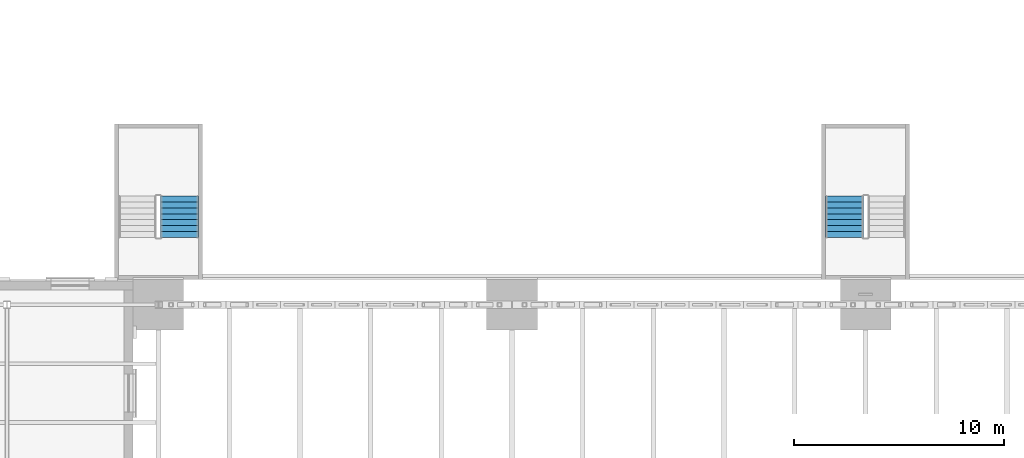
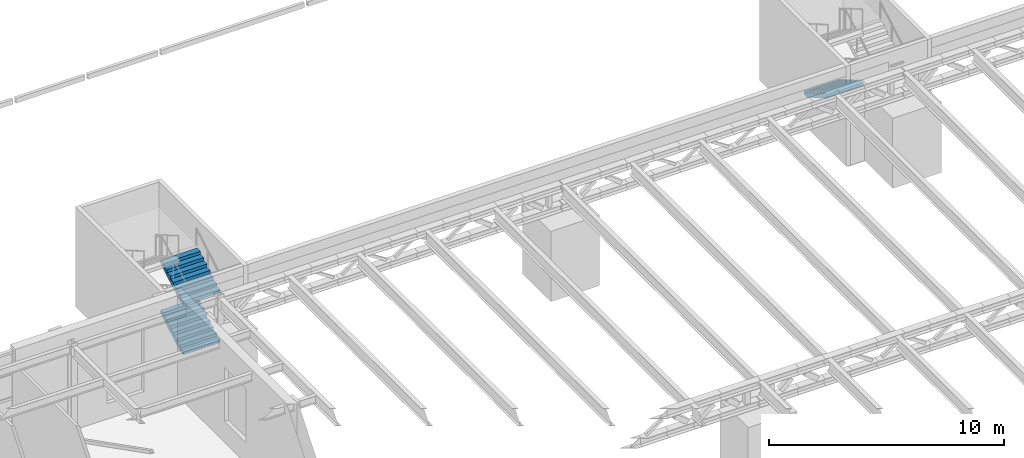
# One storey, part 72 of 93: 3 stair flights, 2 elements without a shape of their own.
"""IFC4 building model written with IfcOpenShell, lengths in metres."""

import ifcopenshell
import ifcopenshell.guid

model = None  # the IFC model being written
_history = None  # IfcOwnerHistory: only IFC2X3 demands one
_inside = {}  # id of a spatial element -> (the spatial element, [elements in it])
_under = {}  # id of a project, library or spatial element -> (it, [spatial elements below it])
_declared = {}  # id of a project -> (the project, [libraries it declares])
_typed = {}  # id of a type object -> (the type object, [elements of that type])
_made_of = {}  # id of a material, layer set ... -> (it, [elements and type objects made of it])


def new_model(schema):
    """Start an empty IFC model of exactly this schema.

    Asked for "IFC4X3", IfcOpenShell would pick the latest addendum, in which some entities
    have other attributes; the version numbers below select the first issue.
    IFC2X3 requires an IfcOwnerHistory on every rooted entity: one is made here for all.
    """
    global model, _history
    if schema == "IFC4X3":
        model = ifcopenshell.file(schema_version=(4, 3, 0, 0))
    else:
        model = ifcopenshell.file(schema=schema)
    _inside.clear()
    _under.clear()
    _declared.clear()
    _typed.clear()
    _made_of.clear()
    _history = None
    if model.schema == "IFC2X3":
        org = make("IfcOrganization", Name="unknown")
        user = make(
            "IfcPersonAndOrganization",
            ThePerson=make("IfcPerson", FamilyName="unknown"),
            TheOrganization=org,
        )
        app = make(
            "IfcApplication",
            ApplicationDeveloper=org,
            Version="unknown",
            ApplicationFullName="unknown",
            ApplicationIdentifier="unknown",
        )
        _history = make(
            "IfcOwnerHistory",
            OwningUser=user,
            OwningApplication=app,
            ChangeAction="ADDED",
            CreationDate=0,
        )
    return model


def make(cls, **values):
    """One entity of the class cls with the attributes given. An attribute that is None is left unset."""
    return model.create_entity(
        cls, **{name: value for name, value in values.items() if value is not None}
    )


def rooted(cls, **values):
    """An entity with a GlobalId (a new one), such as an element, a storey or a relation."""
    return make(cls, GlobalId=ifcopenshell.guid.new(), OwnerHistory=_history, **values)


def si_unit(unit_type, name, prefix=None):
    """IfcSIUnit, for example si_unit("LENGTHUNIT", "METRE", prefix="MILLI")."""
    return make("IfcSIUnit", UnitType=unit_type, Prefix=prefix, Name=name)


def assignment(units):
    """IfcUnitAssignment: the units of a project."""
    return None if units is None else make("IfcUnitAssignment", Units=units)


def point(xyz):
    """IfcCartesianPoint."""
    return None if xyz is None else make("IfcCartesianPoint", Coordinates=xyz)


def direction(xyz):
    """IfcDirection."""
    return None if xyz is None else make("IfcDirection", DirectionRatios=xyz)


def frame(location, z_axis=None, x_axis=None):
    """IfcAxis2Placement3D, a coordinate frame: its origin and axes. An axis left out is left unset."""
    return make(
        "IfcAxis2Placement3D",
        Location=point(location),
        Axis=direction(z_axis),
        RefDirection=direction(x_axis),
    )


def origin():
    """The frame at (0, 0, 0) with its axes left unset."""
    return frame((0.0, 0.0, 0.0))


def place(relative_to, where):
    """IfcLocalPlacement: puts the frame where relative to a parent placement (None: the world)."""
    return make(
        "IfcLocalPlacement", PlacementRelTo=relative_to, RelativePlacement=where
    )


def context(
    kind, dimensions, precision=None, world=None, true_north=None, identifier=None
):
    """IfcGeometricRepresentationContext, for example the 3D "Model" context."""
    return make(
        "IfcGeometricRepresentationContext",
        ContextIdentifier=identifier,
        ContextType=kind,
        CoordinateSpaceDimension=dimensions,
        Precision=precision,
        WorldCoordinateSystem=world,
        TrueNorth=true_north,
    )


def subcontext(parent, identifier, kind, view, scale=None):
    """IfcGeometricRepresentationSubContext, for example "Body" below "Model"."""
    return make(
        "IfcGeometricRepresentationSubContext",
        ContextIdentifier=identifier,
        ContextType=kind,
        ParentContext=parent,
        TargetScale=scale,
        TargetView=view,
    )


def project(units=None, contexts=None):
    """IfcProject with its units and contexts."""
    return rooted(
        "IfcProject",
        Name="project",
        RepresentationContexts=contexts,
        UnitsInContext=assignment(units),
    )


def spatial(cls, under=None, at=None, **own):
    """A site, building, storey or space (cls), placed at a placement, below another one or the project."""
    s = rooted(cls, ObjectPlacement=at, **own)
    if under is not None:
        _under.setdefault(under.id(), (under, []))[1].append(s)
    return s


def point_list(points):
    """IfcCartesianPointList2D or 3D."""
    cls = (
        "IfcCartesianPointList2D" if len(points[0]) == 2 else "IfcCartesianPointList3D"
    )
    return make(cls, CoordList=points)


def polygons(points, faces, closed=None, point_numbers=None):
    """IfcPolygonalFaceSet: a face is its outer loop, then its inner loops; points numbered from 1."""
    made = []
    for loops in faces:
        if len(loops) == 1:
            made.append(make("IfcIndexedPolygonalFace", CoordIndex=loops[0]))
        else:
            made.append(
                make(
                    "IfcIndexedPolygonalFaceWithVoids",
                    CoordIndex=loops[0],
                    InnerCoordIndices=loops[1:],
                )
            )
    return make(
        "IfcPolygonalFaceSet",
        Coordinates=point_list(points),
        Closed=closed,
        Faces=made,
        PnIndex=point_numbers,
    )


def shape(context_of_items, identifier, shape_type, items):
    """IfcShapeRepresentation: the items that make up one representation, for example the "Body"."""
    return make(
        "IfcShapeRepresentation",
        ContextOfItems=context_of_items,
        RepresentationIdentifier=identifier,
        RepresentationType=shape_type,
        Items=items,
    )


def material(Name=None, Category=None):
    """IfcMaterial."""
    return make("IfcMaterial", Name=Name, Category=Category)


def made_of(thing, what):
    """Note that an element or type object is made of a material, layer set ...; save() writes the relation."""
    if what is not None:
        _made_of.setdefault(what.id(), (what, []))[1].append(thing)
    return thing


def type_object(cls, material=None, **own):
    """A type object (cls), such as IfcWallType, which elements share."""
    return made_of(rooted(cls, **own), material)


def element(
    cls,
    number,
    at=None,
    inside=None,
    cuts=None,
    type_object=None,
    material=None,
    context=None,
    identifier="Body",
    shape_type=None,
    held_by="IfcProductDefinitionShape",
    body=None,
    shapes=None,
    **own,
):
    """One element of the class cls, such as IfcWall. Its Tag is "e" and its number.

    at: its placement. inside: the storey or other place that contains it. cuts: it is an
    opening in that element (IfcRelVoidsElement). A single representation is given by context,
    identifier, shape_type and body (its items); several are given by shapes. held_by: the class
    of the entity that holds the representations. save() writes the other relations.
    """
    e = rooted(cls, Tag="e%d" % number, ObjectPlacement=at, **own)
    if body is not None:
        shapes = [shape(context, identifier, shape_type, body)]
    if shapes is not None:
        e.Representation = make(held_by, Representations=shapes)
    if inside is not None:
        _inside.setdefault(inside.id(), (inside, []))[1].append(e)
    if cuts is not None:
        rooted(
            "IfcRelVoidsElement", RelatingBuildingElement=cuts, RelatedOpeningElement=e
        )
    if type_object is not None:
        _typed.setdefault(type_object.id(), (type_object, []))[1].append(e)
    return made_of(e, material)


def aggregate(whole, parts):
    """IfcRelAggregates: a whole, such as a stair, and the parts it consists of."""
    return rooted("IfcRelAggregates", RelatingObject=whole, RelatedObjects=parts)


def save(model, path):
    """Write the relations noted so far, then the file.

    IfcRelAggregates (storeys below a building ...), IfcRelContainedInSpatialStructure (elements
    in a storey), IfcRelDefinesByType, IfcRelAssociatesMaterial and IfcRelDeclares: one each for
    every whole, place, type object, material and project.
    """
    for whole, parts in _under.values():
        aggregate(whole, parts)
    for where, things in _inside.values():
        rooted(
            "IfcRelContainedInSpatialStructure",
            RelatedElements=things,
            RelatingStructure=where,
        )
    for kind, things in _typed.values():
        rooted("IfcRelDefinesByType", RelatedObjects=things, RelatingType=kind)
    for what, things in _made_of.values():
        rooted("IfcRelAssociatesMaterial", RelatedObjects=things, RelatingMaterial=what)
    for by, libraries in _declared.values():
        rooted("IfcRelDeclares", RelatingContext=by, RelatedDefinitions=libraries)
    model.write(path)


model = new_model("IFC4")

# Units and contexts
model_context = context("Model", 3, precision=1e-05, world=origin(), true_north=direction((0.0, 1.0)))
body_context = subcontext(model_context, "Body", "Model", "MODEL_VIEW")
ifc_project = project(units=[si_unit("LENGTHUNIT", "METRE"), si_unit("AREAUNIT", "SQUARE_METRE"), si_unit("VOLUMEUNIT", "CUBIC_METRE"), si_unit("PLANEANGLEUNIT", "RADIAN"), si_unit("MASSUNIT", "GRAM", prefix="KILO")], contexts=[model_context])

# Site, building, storey
site_placement = place(None, origin())
site = spatial("IfcSite", under=ifc_project, at=site_placement, CompositionType="ELEMENT")
building_placement = place(site_placement, origin())
building = spatial("IfcBuilding", under=site, at=building_placement, Name="Verrick Yard Athletic Hall", CompositionType="ELEMENT")
storey_placement = place(building_placement, frame((0.0, 0.0, 8.800048828125)))
storey = spatial("IfcBuildingStorey", under=building, at=storey_placement, Name="L02", CompositionType="ELEMENT", Elevation=8.800048828125)

# Stair, stair flights
ifc_material = material(Name="Concrete 35 MPa", Category="concrete")
stair_type = type_object("IfcStairType", Name="Stair ST4 1800 wide 32 risers", PredefinedType="HALF_TURN_STAIR", material=ifc_material)
stair_1_placement = place(storey_placement, origin())
stair_1 = element("IfcStair", 1, at=stair_1_placement, inside=storey, type_object=stair_type, Name="North deck escape 1 stair L02", PredefinedType="HALF_TURN_STAIR")
stair_flight_type = type_object("IfcStairFlightType", Name="Stair flight SF4 1800 wide 8 risers", PredefinedType="STRAIGHT", material=ifc_material)
stair_flight_1_placement = place(storey_placement, frame((41.0, 56.0, 0.0), z_axis=(0.0, 0.0, 1.0), x_axis=(0.0, 1.0, 0.0)))
stair_flight_1 = element("IfcStairFlight", 2, at=stair_flight_1_placement, type_object=stair_flight_type, Name="ST4 flight 1", NumberOfRisers=8, NumberOfTreads=7, PredefinedType="STRAIGHT", RiserHeight=0.1625, TreadLength=0.28, context=body_context, shape_type="Tessellation", body=[
    polygons([(0.2986404620805121, -0.89990234375, 0.0), (1.9600000000000002, -0.89990234375, 0.9641818746854172), (1.9600000000000002, -0.89990234375, 1.1375), (1.6800000000000002, -0.89990234375, 1.1375), (1.6800000000000002, -0.89990234375, 0.9750000000000001), (1.4000000000000001, -0.89990234375, 0.9750000000000001), (1.4000000000000001, -0.89990234375, 0.8125), (1.12, -0.89990234375, 0.8125), (1.12, -0.89990234375, 0.65), (0.8400000000000001, -0.89990234375, 0.65), (0.8400000000000001, -0.89990234375, 0.48750000000000004), (0.56, -0.89990234375, 0.48750000000000004), (0.56, -0.89990234375, 0.325), (0.28, -0.89990234375, 0.325), (0.28, -0.89990234375, 0.1625), (0.0, -0.89990234375, 0.1625), (0.0, -0.89990234375, 0.0), (0.2986404620805121, -0.179931640625, 0.0), (1.9600000000000002, -0.179931640625, 0.9641818746854172), (1.9600000000000002, -0.179931640625, 1.1375), (1.6800000000000002, -0.179931640625, 1.1375), (1.6800000000000002, -0.179931640625, 0.9750000000000001), (1.4000000000000001, -0.179931640625, 0.9750000000000001), (1.4000000000000001, -0.179931640625, 0.8125), (1.12, -0.179931640625, 0.8125), (1.12, -0.179931640625, 0.65), (0.8400000000000001, -0.179931640625, 0.65), (0.8400000000000001, -0.179931640625, 0.48750000000000004), (0.56, -0.179931640625, 0.48750000000000004), (0.56, -0.179931640625, 0.325), (0.28, -0.179931640625, 0.325), (0.28, -0.179931640625, 0.1625), (0.0, -0.179931640625, 0.1625), (0.0, -0.179931640625, 0.0), (0.2986404620805121, -0.1201171875, 0.0), (1.9600000000000002, -0.1201171875, 0.9641818746854172), (1.9600000000000002, -0.1201171875, 1.1375), (1.6800000000000002, -0.1201171875, 1.1375), (1.6800000000000002, -0.1201171875, 0.9750000000000001), (1.4000000000000001, -0.1201171875, 0.9750000000000001), (1.4000000000000001, -0.1201171875, 0.8125), (1.12, -0.1201171875, 0.8125), (1.12, -0.1201171875, 0.65), (0.8400000000000001, -0.1201171875, 0.65), (0.8400000000000001, -0.1201171875, 0.48750000000000004), (0.56, -0.1201171875, 0.48750000000000004), (0.56, -0.1201171875, 0.325), (0.28, -0.1201171875, 0.325), (0.28, -0.1201171875, 0.1625), (0.0, -0.1201171875, 0.1625), (0.0, -0.1201171875, 0.0), (0.2986404620805121, -0.06005859375, 0.0), (1.9600000000000002, -0.06005859375, 0.9641818746854172), (1.9600000000000002, -0.06005859375, 1.1375), (1.6800000000000002, -0.06005859375, 1.1375), (1.6800000000000002, -0.06005859375, 0.9750000000000001), (1.4000000000000001, -0.06005859375, 0.9750000000000001), (1.4000000000000001, -0.06005859375, 0.8125), (1.12, -0.06005859375, 0.8125), (1.12, -0.06005859375, 0.65), (0.8400000000000001, -0.06005859375, 0.65), (0.8400000000000001, -0.06005859375, 0.48750000000000004), (0.56, -0.06005859375, 0.48750000000000004), (0.56, -0.06005859375, 0.325), (0.28, -0.06005859375, 0.325), (0.28, -0.06005859375, 0.1625), (0.0, -0.06005859375, 0.1625), (0.0, -0.06005859375, 0.0), (0.2986404620805121, 0.0, 0.0), (1.9600000000000002, 0.0, 0.9641818746854172), (1.9600000000000002, 0.0, 1.1375), (1.6800000000000002, 0.0, 1.1375), (1.6800000000000002, 0.0, 0.9750000000000001), (1.4000000000000001, 0.0, 0.9750000000000001), (1.4000000000000001, 0.0, 0.8125), (1.12, 0.0, 0.8125), (1.12, 0.0, 0.65), (0.8400000000000001, 0.0, 0.65), (0.8400000000000001, 0.0, 0.48750000000000004), (0.56, 0.0, 0.48750000000000004), (0.56, 0.0, 0.325), (0.28, 0.0, 0.325), (0.28, 0.0, 0.1625), (0.0, 0.0, 0.1625), (0.0, 0.0, 0.0), (0.2986404620805121, 0.06005859375, 0.0), (1.9600000000000002, 0.06005859375, 0.9641818746854172), (1.9600000000000002, 0.06005859375, 1.1375), (1.6800000000000002, 0.06005859375, 1.1375), (1.6800000000000002, 0.06005859375, 0.9750000000000001), (1.4000000000000001, 0.06005859375, 0.9750000000000001), (1.4000000000000001, 0.06005859375, 0.8125), (1.12, 0.06005859375, 0.8125), (1.12, 0.06005859375, 0.65), (0.8400000000000001, 0.06005859375, 0.65), (0.8400000000000001, 0.06005859375, 0.48750000000000004), (0.56, 0.06005859375, 0.48750000000000004), (0.56, 0.06005859375, 0.325), (0.28, 0.06005859375, 0.325), (0.28, 0.06005859375, 0.1625), (0.0, 0.06005859375, 0.1625), (0.0, 0.06005859375, 0.0), (0.2986404620805121, 0.1201171875, 0.0), (1.9600000000000002, 0.1201171875, 0.9641818746854172), (1.9600000000000002, 0.1201171875, 1.1375), (1.6800000000000002, 0.1201171875, 1.1375), (1.6800000000000002, 0.1201171875, 0.9750000000000001), (1.4000000000000001, 0.1201171875, 0.9750000000000001), (1.4000000000000001, 0.1201171875, 0.8125), (1.12, 0.1201171875, 0.8125), (1.12, 0.1201171875, 0.65), (0.8400000000000001, 0.1201171875, 0.65), (0.8400000000000001, 0.1201171875, 0.48750000000000004), (0.56, 0.1201171875, 0.48750000000000004), (0.56, 0.1201171875, 0.325), (0.28, 0.1201171875, 0.325), (0.28, 0.1201171875, 0.1625), (0.0, 0.1201171875, 0.1625), (0.0, 0.1201171875, 0.0), (0.2986404620805121, 0.179931640625, 0.0), (1.9600000000000002, 0.179931640625, 0.9641818746854172), (1.9600000000000002, 0.179931640625, 1.1375), (1.6800000000000002, 0.179931640625, 1.1375), (1.6800000000000002, 0.179931640625, 0.9750000000000001), (1.4000000000000001, 0.179931640625, 0.9750000000000001), (1.4000000000000001, 0.179931640625, 0.8125), (1.12, 0.179931640625, 0.8125), (1.12, 0.179931640625, 0.65), (0.8400000000000001, 0.179931640625, 0.65), (0.8400000000000001, 0.179931640625, 0.48750000000000004), (0.56, 0.179931640625, 0.48750000000000004), (0.56, 0.179931640625, 0.325), (0.28, 0.179931640625, 0.325), (0.28, 0.179931640625, 0.1625), (0.0, 0.179931640625, 0.1625), (0.0, 0.179931640625, 0.0), (0.2986404620805121, 0.89990234375, 0.0), (1.9600000000000002, 0.89990234375, 0.9641818746854172), (1.9600000000000002, 0.89990234375, 1.1375), (1.6800000000000002, 0.89990234375, 1.1375), (1.6800000000000002, 0.89990234375, 0.9750000000000001), (1.4000000000000001, 0.89990234375, 0.9750000000000001), (1.4000000000000001, 0.89990234375, 0.8125), (1.12, 0.89990234375, 0.8125), (1.12, 0.89990234375, 0.65), (0.8400000000000001, 0.89990234375, 0.65), (0.8400000000000001, 0.89990234375, 0.48750000000000004), (0.56, 0.89990234375, 0.48750000000000004), (0.56, 0.89990234375, 0.325), (0.28, 0.89990234375, 0.325), (0.28, 0.89990234375, 0.1625), (0.0, 0.89990234375, 0.1625), (0.0, 0.89990234375, 0.0)], [[[1, 2, 3, 4, 5, 6, 7, 8, 9, 10, 11, 12, 13, 14, 15, 16, 17]], [[153, 152, 151, 150, 149, 148, 147, 146, 145, 144, 143, 142, 141, 140, 139, 138, 137]], [[1, 18, 19, 2]], [[2, 19, 20, 3]], [[3, 20, 21, 4]], [[4, 21, 22, 5]], [[5, 22, 23, 6]], [[6, 23, 24, 7]], [[7, 24, 25, 8]], [[8, 25, 26, 9]], [[9, 26, 27, 10]], [[10, 27, 28, 11]], [[11, 28, 29, 12]], [[12, 29, 30, 13]], [[13, 30, 31, 14]], [[14, 31, 32, 15]], [[15, 32, 33, 16]], [[16, 33, 34, 17]], [[17, 34, 18, 1]], [[18, 35, 36, 19]], [[19, 36, 37, 20]], [[20, 37, 38, 21]], [[21, 38, 39, 22]], [[22, 39, 40, 23]], [[23, 40, 41, 24]], [[24, 41, 42, 25]], [[25, 42, 43, 26]], [[26, 43, 44, 27]], [[27, 44, 45, 28]], [[28, 45, 46, 29]], [[29, 46, 47, 30]], [[30, 47, 48, 31]], [[31, 48, 49, 32]], [[32, 49, 50, 33]], [[33, 50, 51, 34]], [[34, 51, 35, 18]], [[35, 52, 53, 36]], [[36, 53, 54, 37]], [[37, 54, 55, 38]], [[38, 55, 56, 39]], [[39, 56, 57, 40]], [[40, 57, 58, 41]], [[41, 58, 59, 42]], [[42, 59, 60, 43]], [[43, 60, 61, 44]], [[44, 61, 62, 45]], [[45, 62, 63, 46]], [[46, 63, 64, 47]], [[47, 64, 65, 48]], [[48, 65, 66, 49]], [[49, 66, 67, 50]], [[50, 67, 68, 51]], [[51, 68, 52, 35]], [[52, 69, 70, 53]], [[53, 70, 71, 54]], [[54, 71, 72, 55]], [[55, 72, 73, 56]], [[56, 73, 74, 57]], [[57, 74, 75, 58]], [[58, 75, 76, 59]], [[59, 76, 77, 60]], [[60, 77, 78, 61]], [[61, 78, 79, 62]], [[62, 79, 80, 63]], [[63, 80, 81, 64]], [[64, 81, 82, 65]], [[65, 82, 83, 66]], [[66, 83, 84, 67]], [[67, 84, 85, 68]], [[68, 85, 69, 52]], [[69, 86, 87, 70]], [[70, 87, 88, 71]], [[71, 88, 89, 72]], [[72, 89, 90, 73]], [[73, 90, 91, 74]], [[74, 91, 92, 75]], [[75, 92, 93, 76]], [[76, 93, 94, 77]], [[77, 94, 95, 78]], [[78, 95, 96, 79]], [[79, 96, 97, 80]], [[80, 97, 98, 81]], [[81, 98, 99, 82]], [[82, 99, 100, 83]], [[83, 100, 101, 84]], [[84, 101, 102, 85]], [[85, 102, 86, 69]], [[86, 103, 104, 87]], [[87, 104, 105, 88]], [[88, 105, 106, 89]], [[89, 106, 107, 90]], [[90, 107, 108, 91]], [[91, 108, 109, 92]], [[92, 109, 110, 93]], [[93, 110, 111, 94]], [[94, 111, 112, 95]], [[95, 112, 113, 96]], [[96, 113, 114, 97]], [[97, 114, 115, 98]], [[98, 115, 116, 99]], [[99, 116, 117, 100]], [[100, 117, 118, 101]], [[101, 118, 119, 102]], [[102, 119, 103, 86]], [[103, 120, 121, 104]], [[104, 121, 122, 105]], [[105, 122, 123, 106]], [[106, 123, 124, 107]], [[107, 124, 125, 108]], [[108, 125, 126, 109]], [[109, 126, 127, 110]], [[110, 127, 128, 111]], [[111, 128, 129, 112]], [[112, 129, 130, 113]], [[113, 130, 131, 114]], [[114, 131, 132, 115]], [[115, 132, 133, 116]], [[116, 133, 134, 117]], [[117, 134, 135, 118]], [[118, 135, 136, 119]], [[119, 136, 120, 103]], [[120, 137, 138, 121]], [[121, 138, 139, 122]], [[122, 139, 140, 123]], [[123, 140, 141, 124]], [[124, 141, 142, 125]], [[125, 142, 143, 126]], [[126, 143, 144, 127]], [[127, 144, 145, 128]], [[128, 145, 146, 129]], [[129, 146, 147, 130]], [[130, 147, 148, 131]], [[131, 148, 149, 132]], [[132, 149, 150, 133]], [[133, 150, 151, 134]], [[134, 151, 152, 135]], [[135, 152, 153, 136]], [[136, 153, 137, 120]]], closed=True),
])
stair_flight_2_placement = place(storey_placement, frame((41.0, 56.0, 2.599853515625), z_axis=(0.0, 0.0, 1.0), x_axis=(0.0, 1.0, 0.0)))
stair_flight_2 = element("IfcStairFlight", 3, at=stair_flight_2_placement, type_object=stair_flight_type, Name="ST4 flight 3", NumberOfRisers=8, NumberOfTreads=7, PredefinedType="STRAIGHT", RiserHeight=0.1625, TreadLength=0.28, context=body_context, shape_type="Tessellation", body=[
    polygons([(0.2986404620805121, -0.89990234375, 0.0), (1.9600000000000002, -0.89990234375, 0.9641818746854172), (1.9600000000000002, -0.89990234375, 1.1375), (1.6800000000000002, -0.89990234375, 1.1375), (1.6800000000000002, -0.89990234375, 0.9750000000000001), (1.4000000000000001, -0.89990234375, 0.9750000000000001), (1.4000000000000001, -0.89990234375, 0.8125), (1.12, -0.89990234375, 0.8125), (1.12, -0.89990234375, 0.65), (0.8400000000000001, -0.89990234375, 0.65), (0.8400000000000001, -0.89990234375, 0.48750000000000004), (0.56, -0.89990234375, 0.48750000000000004), (0.56, -0.89990234375, 0.325), (0.28, -0.89990234375, 0.325), (0.28, -0.89990234375, 0.1625), (0.0, -0.89990234375, 0.1625), (0.0, -0.89990234375, 0.0), (0.2986404620805121, -0.179931640625, 0.0), (1.9600000000000002, -0.179931640625, 0.9641818746854172), (1.9600000000000002, -0.179931640625, 1.1375), (1.6800000000000002, -0.179931640625, 1.1375), (1.6800000000000002, -0.179931640625, 0.9750000000000001), (1.4000000000000001, -0.179931640625, 0.9750000000000001), (1.4000000000000001, -0.179931640625, 0.8125), (1.12, -0.179931640625, 0.8125), (1.12, -0.179931640625, 0.65), (0.8400000000000001, -0.179931640625, 0.65), (0.8400000000000001, -0.179931640625, 0.48750000000000004), (0.56, -0.179931640625, 0.48750000000000004), (0.56, -0.179931640625, 0.325), (0.28, -0.179931640625, 0.325), (0.28, -0.179931640625, 0.1625), (0.0, -0.179931640625, 0.1625), (0.0, -0.179931640625, 0.0), (0.2986404620805121, -0.1201171875, 0.0), (1.9600000000000002, -0.1201171875, 0.9641818746854172), (1.9600000000000002, -0.1201171875, 1.1375), (1.6800000000000002, -0.1201171875, 1.1375), (1.6800000000000002, -0.1201171875, 0.9750000000000001), (1.4000000000000001, -0.1201171875, 0.9750000000000001), (1.4000000000000001, -0.1201171875, 0.8125), (1.12, -0.1201171875, 0.8125), (1.12, -0.1201171875, 0.65), (0.8400000000000001, -0.1201171875, 0.65), (0.8400000000000001, -0.1201171875, 0.48750000000000004), (0.56, -0.1201171875, 0.48750000000000004), (0.56, -0.1201171875, 0.325), (0.28, -0.1201171875, 0.325), (0.28, -0.1201171875, 0.1625), (0.0, -0.1201171875, 0.1625), (0.0, -0.1201171875, 0.0), (0.2986404620805121, -0.06005859375, 0.0), (1.9600000000000002, -0.06005859375, 0.9641818746854172), (1.9600000000000002, -0.06005859375, 1.1375), (1.6800000000000002, -0.06005859375, 1.1375), (1.6800000000000002, -0.06005859375, 0.9750000000000001), (1.4000000000000001, -0.06005859375, 0.9750000000000001), (1.4000000000000001, -0.06005859375, 0.8125), (1.12, -0.06005859375, 0.8125), (1.12, -0.06005859375, 0.65), (0.8400000000000001, -0.06005859375, 0.65), (0.8400000000000001, -0.06005859375, 0.48750000000000004), (0.56, -0.06005859375, 0.48750000000000004), (0.56, -0.06005859375, 0.325), (0.28, -0.06005859375, 0.325), (0.28, -0.06005859375, 0.1625), (0.0, -0.06005859375, 0.1625), (0.0, -0.06005859375, 0.0), (0.2986404620805121, 0.0, 0.0), (1.9600000000000002, 0.0, 0.9641818746854172), (1.9600000000000002, 0.0, 1.1375), (1.6800000000000002, 0.0, 1.1375), (1.6800000000000002, 0.0, 0.9750000000000001), (1.4000000000000001, 0.0, 0.9750000000000001), (1.4000000000000001, 0.0, 0.8125), (1.12, 0.0, 0.8125), (1.12, 0.0, 0.65), (0.8400000000000001, 0.0, 0.65), (0.8400000000000001, 0.0, 0.48750000000000004), (0.56, 0.0, 0.48750000000000004), (0.56, 0.0, 0.325), (0.28, 0.0, 0.325), (0.28, 0.0, 0.1625), (0.0, 0.0, 0.1625), (0.0, 0.0, 0.0), (0.2986404620805121, 0.06005859375, 0.0), (1.9600000000000002, 0.06005859375, 0.9641818746854172), (1.9600000000000002, 0.06005859375, 1.1375), (1.6800000000000002, 0.06005859375, 1.1375), (1.6800000000000002, 0.06005859375, 0.9750000000000001), (1.4000000000000001, 0.06005859375, 0.9750000000000001), (1.4000000000000001, 0.06005859375, 0.8125), (1.12, 0.06005859375, 0.8125), (1.12, 0.06005859375, 0.65), (0.8400000000000001, 0.06005859375, 0.65), (0.8400000000000001, 0.06005859375, 0.48750000000000004), (0.56, 0.06005859375, 0.48750000000000004), (0.56, 0.06005859375, 0.325), (0.28, 0.06005859375, 0.325), (0.28, 0.06005859375, 0.1625), (0.0, 0.06005859375, 0.1625), (0.0, 0.06005859375, 0.0), (0.2986404620805121, 0.1201171875, 0.0), (1.9600000000000002, 0.1201171875, 0.9641818746854172), (1.9600000000000002, 0.1201171875, 1.1375), (1.6800000000000002, 0.1201171875, 1.1375), (1.6800000000000002, 0.1201171875, 0.9750000000000001), (1.4000000000000001, 0.1201171875, 0.9750000000000001), (1.4000000000000001, 0.1201171875, 0.8125), (1.12, 0.1201171875, 0.8125), (1.12, 0.1201171875, 0.65), (0.8400000000000001, 0.1201171875, 0.65), (0.8400000000000001, 0.1201171875, 0.48750000000000004), (0.56, 0.1201171875, 0.48750000000000004), (0.56, 0.1201171875, 0.325), (0.28, 0.1201171875, 0.325), (0.28, 0.1201171875, 0.1625), (0.0, 0.1201171875, 0.1625), (0.0, 0.1201171875, 0.0), (0.2986404620805121, 0.179931640625, 0.0), (1.9600000000000002, 0.179931640625, 0.9641818746854172), (1.9600000000000002, 0.179931640625, 1.1375), (1.6800000000000002, 0.179931640625, 1.1375), (1.6800000000000002, 0.179931640625, 0.9750000000000001), (1.4000000000000001, 0.179931640625, 0.9750000000000001), (1.4000000000000001, 0.179931640625, 0.8125), (1.12, 0.179931640625, 0.8125), (1.12, 0.179931640625, 0.65), (0.8400000000000001, 0.179931640625, 0.65), (0.8400000000000001, 0.179931640625, 0.48750000000000004), (0.56, 0.179931640625, 0.48750000000000004), (0.56, 0.179931640625, 0.325), (0.28, 0.179931640625, 0.325), (0.28, 0.179931640625, 0.1625), (0.0, 0.179931640625, 0.1625), (0.0, 0.179931640625, 0.0), (0.2986404620805121, 0.89990234375, 0.0), (1.9600000000000002, 0.89990234375, 0.9641818746854172), (1.9600000000000002, 0.89990234375, 1.1375), (1.6800000000000002, 0.89990234375, 1.1375), (1.6800000000000002, 0.89990234375, 0.9750000000000001), (1.4000000000000001, 0.89990234375, 0.9750000000000001), (1.4000000000000001, 0.89990234375, 0.8125), (1.12, 0.89990234375, 0.8125), (1.12, 0.89990234375, 0.65), (0.8400000000000001, 0.89990234375, 0.65), (0.8400000000000001, 0.89990234375, 0.48750000000000004), (0.56, 0.89990234375, 0.48750000000000004), (0.56, 0.89990234375, 0.325), (0.28, 0.89990234375, 0.325), (0.28, 0.89990234375, 0.1625), (0.0, 0.89990234375, 0.1625), (0.0, 0.89990234375, 0.0)], [[[1, 2, 3, 4, 5, 6, 7, 8, 9, 10, 11, 12, 13, 14, 15, 16, 17]], [[153, 152, 151, 150, 149, 148, 147, 146, 145, 144, 143, 142, 141, 140, 139, 138, 137]], [[1, 18, 19, 2]], [[2, 19, 20, 3]], [[3, 20, 21, 4]], [[4, 21, 22, 5]], [[5, 22, 23, 6]], [[6, 23, 24, 7]], [[7, 24, 25, 8]], [[8, 25, 26, 9]], [[9, 26, 27, 10]], [[10, 27, 28, 11]], [[11, 28, 29, 12]], [[12, 29, 30, 13]], [[13, 30, 31, 14]], [[14, 31, 32, 15]], [[15, 32, 33, 16]], [[16, 33, 34, 17]], [[17, 34, 18, 1]], [[18, 35, 36, 19]], [[19, 36, 37, 20]], [[20, 37, 38, 21]], [[21, 38, 39, 22]], [[22, 39, 40, 23]], [[23, 40, 41, 24]], [[24, 41, 42, 25]], [[25, 42, 43, 26]], [[26, 43, 44, 27]], [[27, 44, 45, 28]], [[28, 45, 46, 29]], [[29, 46, 47, 30]], [[30, 47, 48, 31]], [[31, 48, 49, 32]], [[32, 49, 50, 33]], [[33, 50, 51, 34]], [[34, 51, 35, 18]], [[35, 52, 53, 36]], [[36, 53, 54, 37]], [[37, 54, 55, 38]], [[38, 55, 56, 39]], [[39, 56, 57, 40]], [[40, 57, 58, 41]], [[41, 58, 59, 42]], [[42, 59, 60, 43]], [[43, 60, 61, 44]], [[44, 61, 62, 45]], [[45, 62, 63, 46]], [[46, 63, 64, 47]], [[47, 64, 65, 48]], [[48, 65, 66, 49]], [[49, 66, 67, 50]], [[50, 67, 68, 51]], [[51, 68, 52, 35]], [[52, 69, 70, 53]], [[53, 70, 71, 54]], [[54, 71, 72, 55]], [[55, 72, 73, 56]], [[56, 73, 74, 57]], [[57, 74, 75, 58]], [[58, 75, 76, 59]], [[59, 76, 77, 60]], [[60, 77, 78, 61]], [[61, 78, 79, 62]], [[62, 79, 80, 63]], [[63, 80, 81, 64]], [[64, 81, 82, 65]], [[65, 82, 83, 66]], [[66, 83, 84, 67]], [[67, 84, 85, 68]], [[68, 85, 69, 52]], [[69, 86, 87, 70]], [[70, 87, 88, 71]], [[71, 88, 89, 72]], [[72, 89, 90, 73]], [[73, 90, 91, 74]], [[74, 91, 92, 75]], [[75, 92, 93, 76]], [[76, 93, 94, 77]], [[77, 94, 95, 78]], [[78, 95, 96, 79]], [[79, 96, 97, 80]], [[80, 97, 98, 81]], [[81, 98, 99, 82]], [[82, 99, 100, 83]], [[83, 100, 101, 84]], [[84, 101, 102, 85]], [[85, 102, 86, 69]], [[86, 103, 104, 87]], [[87, 104, 105, 88]], [[88, 105, 106, 89]], [[89, 106, 107, 90]], [[90, 107, 108, 91]], [[91, 108, 109, 92]], [[92, 109, 110, 93]], [[93, 110, 111, 94]], [[94, 111, 112, 95]], [[95, 112, 113, 96]], [[96, 113, 114, 97]], [[97, 114, 115, 98]], [[98, 115, 116, 99]], [[99, 116, 117, 100]], [[100, 117, 118, 101]], [[101, 118, 119, 102]], [[102, 119, 103, 86]], [[103, 120, 121, 104]], [[104, 121, 122, 105]], [[105, 122, 123, 106]], [[106, 123, 124, 107]], [[107, 124, 125, 108]], [[108, 125, 126, 109]], [[109, 126, 127, 110]], [[110, 127, 128, 111]], [[111, 128, 129, 112]], [[112, 129, 130, 113]], [[113, 130, 131, 114]], [[114, 131, 132, 115]], [[115, 132, 133, 116]], [[116, 133, 134, 117]], [[117, 134, 135, 118]], [[118, 135, 136, 119]], [[119, 136, 120, 103]], [[120, 137, 138, 121]], [[121, 138, 139, 122]], [[122, 139, 140, 123]], [[123, 140, 141, 124]], [[124, 141, 142, 125]], [[125, 142, 143, 126]], [[126, 143, 144, 127]], [[127, 144, 145, 128]], [[128, 145, 146, 129]], [[129, 146, 147, 130]], [[130, 147, 148, 131]], [[131, 148, 149, 132]], [[132, 149, 150, 133]], [[133, 150, 151, 134]], [[134, 151, 152, 135]], [[135, 152, 153, 136]], [[136, 153, 137, 120]]], closed=True),
])
aggregate(stair_1, [stair_flight_1, stair_flight_2])

# Stair, stair flight
stair_2_placement = place(storey_placement, origin())
stair_2 = element("IfcStair", 4, at=stair_2_placement, inside=storey, type_object=stair_type, Name="North deck escape 3 stair L02", PredefinedType="HALF_TURN_STAIR")
stair_flight_3_placement = place(storey_placement, frame((72.60009765625, 57.9599609375, 1.300048828125), z_axis=(0.0, 0.0, 1.0), x_axis=(0.0, -1.0, 0.0)))
stair_flight_3 = element("IfcStairFlight", 5, at=stair_flight_3_placement, type_object=stair_flight_type, Name="ST4 flight 2", NumberOfRisers=8, NumberOfTreads=7, PredefinedType="STRAIGHT", RiserHeight=0.1625, TreadLength=0.28, context=body_context, shape_type="Tessellation", body=[
    polygons([(0.2986404620805121, -0.89990234375, 0.0), (1.9600000000000002, -0.89990234375, 0.9641818746854172), (1.9600000000000002, -0.89990234375, 1.1375), (1.6800000000000002, -0.89990234375, 1.1375), (1.6800000000000002, -0.89990234375, 0.9750000000000001), (1.4000000000000001, -0.89990234375, 0.9750000000000001), (1.4000000000000001, -0.89990234375, 0.8125), (1.12, -0.89990234375, 0.8125), (1.12, -0.89990234375, 0.65), (0.8400000000000001, -0.89990234375, 0.65), (0.8400000000000001, -0.89990234375, 0.48750000000000004), (0.56, -0.89990234375, 0.48750000000000004), (0.56, -0.89990234375, 0.325), (0.28, -0.89990234375, 0.325), (0.28, -0.89990234375, 0.1625), (0.0, -0.89990234375, 0.1625), (0.0, -0.89990234375, 0.0), (0.2986404620805121, -0.179931640625, 0.0), (1.9600000000000002, -0.179931640625, 0.9641818746854172), (1.9600000000000002, -0.179931640625, 1.1375), (1.6800000000000002, -0.179931640625, 1.1375), (1.6800000000000002, -0.179931640625, 0.9750000000000001), (1.4000000000000001, -0.179931640625, 0.9750000000000001), (1.4000000000000001, -0.179931640625, 0.8125), (1.12, -0.179931640625, 0.8125), (1.12, -0.179931640625, 0.65), (0.8400000000000001, -0.179931640625, 0.65), (0.8400000000000001, -0.179931640625, 0.48750000000000004), (0.56, -0.179931640625, 0.48750000000000004), (0.56, -0.179931640625, 0.325), (0.28, -0.179931640625, 0.325), (0.28, -0.179931640625, 0.1625), (0.0, -0.179931640625, 0.1625), (0.0, -0.179931640625, 0.0), (0.2986404620805121, -0.1201171875, 0.0), (1.9600000000000002, -0.1201171875, 0.9641818746854172), (1.9600000000000002, -0.1201171875, 1.1375), (1.6800000000000002, -0.1201171875, 1.1375), (1.6800000000000002, -0.1201171875, 0.9750000000000001), (1.4000000000000001, -0.1201171875, 0.9750000000000001), (1.4000000000000001, -0.1201171875, 0.8125), (1.12, -0.1201171875, 0.8125), (1.12, -0.1201171875, 0.65), (0.8400000000000001, -0.1201171875, 0.65), (0.8400000000000001, -0.1201171875, 0.48750000000000004), (0.56, -0.1201171875, 0.48750000000000004), (0.56, -0.1201171875, 0.325), (0.28, -0.1201171875, 0.325), (0.28, -0.1201171875, 0.1625), (0.0, -0.1201171875, 0.1625), (0.0, -0.1201171875, 0.0), (0.2986404620805121, -0.06005859375, 0.0), (1.9600000000000002, -0.06005859375, 0.9641818746854172), (1.9600000000000002, -0.06005859375, 1.1375), (1.6800000000000002, -0.06005859375, 1.1375), (1.6800000000000002, -0.06005859375, 0.9750000000000001), (1.4000000000000001, -0.06005859375, 0.9750000000000001), (1.4000000000000001, -0.06005859375, 0.8125), (1.12, -0.06005859375, 0.8125), (1.12, -0.06005859375, 0.65), (0.8400000000000001, -0.06005859375, 0.65), (0.8400000000000001, -0.06005859375, 0.48750000000000004), (0.56, -0.06005859375, 0.48750000000000004), (0.56, -0.06005859375, 0.325), (0.28, -0.06005859375, 0.325), (0.28, -0.06005859375, 0.1625), (0.0, -0.06005859375, 0.1625), (0.0, -0.06005859375, 0.0), (0.2986404620805121, 0.0, 0.0), (1.9600000000000002, 0.0, 0.9641818746854172), (1.9600000000000002, 0.0, 1.1375), (1.6800000000000002, 0.0, 1.1375), (1.6800000000000002, 0.0, 0.9750000000000001), (1.4000000000000001, 0.0, 0.9750000000000001), (1.4000000000000001, 0.0, 0.8125), (1.12, 0.0, 0.8125), (1.12, 0.0, 0.65), (0.8400000000000001, 0.0, 0.65), (0.8400000000000001, 0.0, 0.48750000000000004), (0.56, 0.0, 0.48750000000000004), (0.56, 0.0, 0.325), (0.28, 0.0, 0.325), (0.28, 0.0, 0.1625), (0.0, 0.0, 0.1625), (0.0, 0.0, 0.0), (0.2986404620805121, 0.06005859375, 0.0), (1.9600000000000002, 0.06005859375, 0.9641818746854172), (1.9600000000000002, 0.06005859375, 1.1375), (1.6800000000000002, 0.06005859375, 1.1375), (1.6800000000000002, 0.06005859375, 0.9750000000000001), (1.4000000000000001, 0.06005859375, 0.9750000000000001), (1.4000000000000001, 0.06005859375, 0.8125), (1.12, 0.06005859375, 0.8125), (1.12, 0.06005859375, 0.65), (0.8400000000000001, 0.06005859375, 0.65), (0.8400000000000001, 0.06005859375, 0.48750000000000004), (0.56, 0.06005859375, 0.48750000000000004), (0.56, 0.06005859375, 0.325), (0.28, 0.06005859375, 0.325), (0.28, 0.06005859375, 0.1625), (0.0, 0.06005859375, 0.1625), (0.0, 0.06005859375, 0.0), (0.2986404620805121, 0.1201171875, 0.0), (1.9600000000000002, 0.1201171875, 0.9641818746854172), (1.9600000000000002, 0.1201171875, 1.1375), (1.6800000000000002, 0.1201171875, 1.1375), (1.6800000000000002, 0.1201171875, 0.9750000000000001), (1.4000000000000001, 0.1201171875, 0.9750000000000001), (1.4000000000000001, 0.1201171875, 0.8125), (1.12, 0.1201171875, 0.8125), (1.12, 0.1201171875, 0.65), (0.8400000000000001, 0.1201171875, 0.65), (0.8400000000000001, 0.1201171875, 0.48750000000000004), (0.56, 0.1201171875, 0.48750000000000004), (0.56, 0.1201171875, 0.325), (0.28, 0.1201171875, 0.325), (0.28, 0.1201171875, 0.1625), (0.0, 0.1201171875, 0.1625), (0.0, 0.1201171875, 0.0), (0.2986404620805121, 0.179931640625, 0.0), (1.9600000000000002, 0.179931640625, 0.9641818746854172), (1.9600000000000002, 0.179931640625, 1.1375), (1.6800000000000002, 0.179931640625, 1.1375), (1.6800000000000002, 0.179931640625, 0.9750000000000001), (1.4000000000000001, 0.179931640625, 0.9750000000000001), (1.4000000000000001, 0.179931640625, 0.8125), (1.12, 0.179931640625, 0.8125), (1.12, 0.179931640625, 0.65), (0.8400000000000001, 0.179931640625, 0.65), (0.8400000000000001, 0.179931640625, 0.48750000000000004), (0.56, 0.179931640625, 0.48750000000000004), (0.56, 0.179931640625, 0.325), (0.28, 0.179931640625, 0.325), (0.28, 0.179931640625, 0.1625), (0.0, 0.179931640625, 0.1625), (0.0, 0.179931640625, 0.0), (0.2986404620805121, 0.89990234375, 0.0), (1.9600000000000002, 0.89990234375, 0.9641818746854172), (1.9600000000000002, 0.89990234375, 1.1375), (1.6800000000000002, 0.89990234375, 1.1375), (1.6800000000000002, 0.89990234375, 0.9750000000000001), (1.4000000000000001, 0.89990234375, 0.9750000000000001), (1.4000000000000001, 0.89990234375, 0.8125), (1.12, 0.89990234375, 0.8125), (1.12, 0.89990234375, 0.65), (0.8400000000000001, 0.89990234375, 0.65), (0.8400000000000001, 0.89990234375, 0.48750000000000004), (0.56, 0.89990234375, 0.48750000000000004), (0.56, 0.89990234375, 0.325), (0.28, 0.89990234375, 0.325), (0.28, 0.89990234375, 0.1625), (0.0, 0.89990234375, 0.1625), (0.0, 0.89990234375, 0.0)], [[[1, 2, 3, 4, 5, 6, 7, 8, 9, 10, 11, 12, 13, 14, 15, 16, 17]], [[153, 152, 151, 150, 149, 148, 147, 146, 145, 144, 143, 142, 141, 140, 139, 138, 137]], [[1, 18, 19, 2]], [[2, 19, 20, 3]], [[3, 20, 21, 4]], [[4, 21, 22, 5]], [[5, 22, 23, 6]], [[6, 23, 24, 7]], [[7, 24, 25, 8]], [[8, 25, 26, 9]], [[9, 26, 27, 10]], [[10, 27, 28, 11]], [[11, 28, 29, 12]], [[12, 29, 30, 13]], [[13, 30, 31, 14]], [[14, 31, 32, 15]], [[15, 32, 33, 16]], [[16, 33, 34, 17]], [[17, 34, 18, 1]], [[18, 35, 36, 19]], [[19, 36, 37, 20]], [[20, 37, 38, 21]], [[21, 38, 39, 22]], [[22, 39, 40, 23]], [[23, 40, 41, 24]], [[24, 41, 42, 25]], [[25, 42, 43, 26]], [[26, 43, 44, 27]], [[27, 44, 45, 28]], [[28, 45, 46, 29]], [[29, 46, 47, 30]], [[30, 47, 48, 31]], [[31, 48, 49, 32]], [[32, 49, 50, 33]], [[33, 50, 51, 34]], [[34, 51, 35, 18]], [[35, 52, 53, 36]], [[36, 53, 54, 37]], [[37, 54, 55, 38]], [[38, 55, 56, 39]], [[39, 56, 57, 40]], [[40, 57, 58, 41]], [[41, 58, 59, 42]], [[42, 59, 60, 43]], [[43, 60, 61, 44]], [[44, 61, 62, 45]], [[45, 62, 63, 46]], [[46, 63, 64, 47]], [[47, 64, 65, 48]], [[48, 65, 66, 49]], [[49, 66, 67, 50]], [[50, 67, 68, 51]], [[51, 68, 52, 35]], [[52, 69, 70, 53]], [[53, 70, 71, 54]], [[54, 71, 72, 55]], [[55, 72, 73, 56]], [[56, 73, 74, 57]], [[57, 74, 75, 58]], [[58, 75, 76, 59]], [[59, 76, 77, 60]], [[60, 77, 78, 61]], [[61, 78, 79, 62]], [[62, 79, 80, 63]], [[63, 80, 81, 64]], [[64, 81, 82, 65]], [[65, 82, 83, 66]], [[66, 83, 84, 67]], [[67, 84, 85, 68]], [[68, 85, 69, 52]], [[69, 86, 87, 70]], [[70, 87, 88, 71]], [[71, 88, 89, 72]], [[72, 89, 90, 73]], [[73, 90, 91, 74]], [[74, 91, 92, 75]], [[75, 92, 93, 76]], [[76, 93, 94, 77]], [[77, 94, 95, 78]], [[78, 95, 96, 79]], [[79, 96, 97, 80]], [[80, 97, 98, 81]], [[81, 98, 99, 82]], [[82, 99, 100, 83]], [[83, 100, 101, 84]], [[84, 101, 102, 85]], [[85, 102, 86, 69]], [[86, 103, 104, 87]], [[87, 104, 105, 88]], [[88, 105, 106, 89]], [[89, 106, 107, 90]], [[90, 107, 108, 91]], [[91, 108, 109, 92]], [[92, 109, 110, 93]], [[93, 110, 111, 94]], [[94, 111, 112, 95]], [[95, 112, 113, 96]], [[96, 113, 114, 97]], [[97, 114, 115, 98]], [[98, 115, 116, 99]], [[99, 116, 117, 100]], [[100, 117, 118, 101]], [[101, 118, 119, 102]], [[102, 119, 103, 86]], [[103, 120, 121, 104]], [[104, 121, 122, 105]], [[105, 122, 123, 106]], [[106, 123, 124, 107]], [[107, 124, 125, 108]], [[108, 125, 126, 109]], [[109, 126, 127, 110]], [[110, 127, 128, 111]], [[111, 128, 129, 112]], [[112, 129, 130, 113]], [[113, 130, 131, 114]], [[114, 131, 132, 115]], [[115, 132, 133, 116]], [[116, 133, 134, 117]], [[117, 134, 135, 118]], [[118, 135, 136, 119]], [[119, 136, 120, 103]], [[120, 137, 138, 121]], [[121, 138, 139, 122]], [[122, 139, 140, 123]], [[123, 140, 141, 124]], [[124, 141, 142, 125]], [[125, 142, 143, 126]], [[126, 143, 144, 127]], [[127, 144, 145, 128]], [[128, 145, 146, 129]], [[129, 146, 147, 130]], [[130, 147, 148, 131]], [[131, 148, 149, 132]], [[132, 149, 150, 133]], [[133, 150, 151, 134]], [[134, 151, 152, 135]], [[135, 152, 153, 136]], [[136, 153, 137, 120]]], closed=True),
])
aggregate(stair_2, [stair_flight_3])

save(model, "model.ifc")
